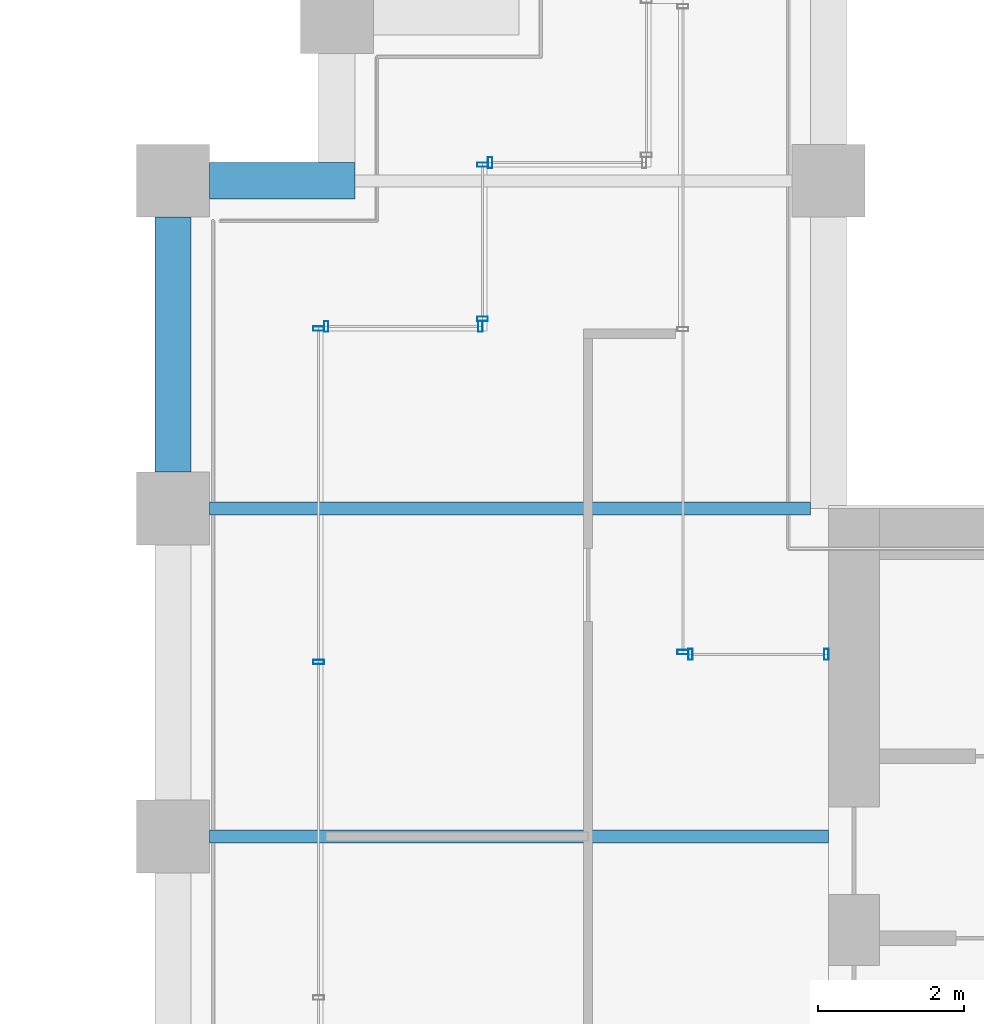
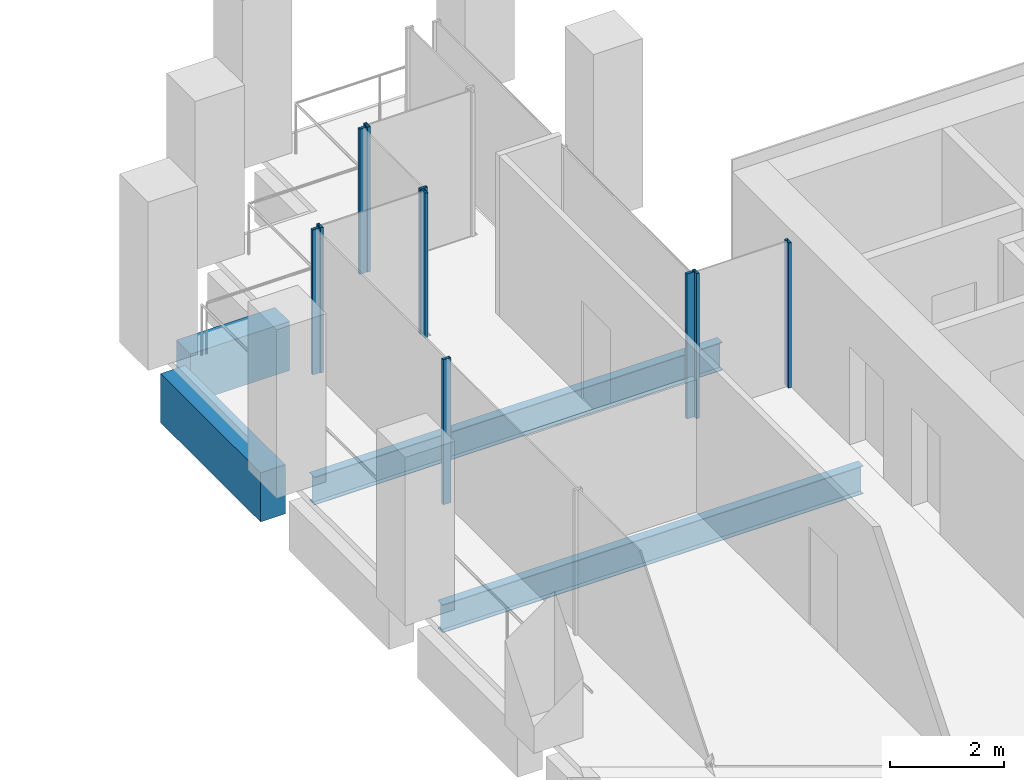
# One storey, part 34 of 46: 10 members, 4 beams, 6 elements without a shape of their own.
"""IFC4 building model written with IfcOpenShell, lengths in metres."""

from ifc_helpers import new_model, si_unit, direction, frame, origin, origin_2d, place, context, subcontext, project, spatial, rectangle, hollow_rectangle, i_section, extrude, material, material_profile, profile_set, type_object, element, aggregate, save


model = new_model("IFC4")

# Units and contexts
model_context = context("Model", 3, precision=1e-05, world=origin(), true_north=direction((0.0, 1.0)))
body_context = subcontext(model_context, "Body", "Model", "MODEL_VIEW")
ifc_project = project(units=[si_unit("LENGTHUNIT", "METRE"), si_unit("AREAUNIT", "SQUARE_METRE"), si_unit("VOLUMEUNIT", "CUBIC_METRE"), si_unit("PLANEANGLEUNIT", "RADIAN"), si_unit("MASSUNIT", "GRAM", prefix="KILO")], contexts=[model_context])

# Site, building, storey
site_placement = place(None, origin())
site = spatial("IfcSite", under=ifc_project, at=site_placement, CompositionType="ELEMENT")
building_placement = place(site_placement, origin())
building = spatial("IfcBuilding", under=site, at=building_placement, Name="Altepetl Exchange Towers", CompositionType="ELEMENT")
storey_placement = place(building_placement, frame((0.0, 0.0, 124.39990234375)))
storey = spatial("IfcBuildingStorey", under=building, at=storey_placement, Name="L30", CompositionType="ELEMENT", Elevation=124.39990234375)

# Beams
ifc_material_1 = material(Name="Steel S355", Category="steel")
ifc_material_profile_1 = material_profile(ifc_material_1, i_section(OverallWidth=0.177978515625, OverallDepth=0.59912109375, WebThickness=0.010009765625, FlangeThickness=0.0126953125, at=origin_2d()), Name="W24X55")
ifc_profile_set_1 = profile_set([ifc_material_profile_1], Name="Steel S355")
beam_type_1 = type_object("IfcBeamType", Name="Floor beam W24X55", PredefinedType="BEAM", material=ifc_profile_set_1)
beam_1_placement = place(storey_placement, frame((95.0, 45.0, -0.449462890625), z_axis=(1.0, 0.0, 0.0), x_axis=(0.0, 1.0, 0.0)))
element("IfcBeam", 1, at=beam_1_placement, inside=storey, type_object=beam_type_1, Name="bm:B:L30:009", PredefinedType="BEAM", context=body_context, shape_type="SweptSolid", body=[
    extrude(i_section(OverallWidth=0.177978515625, OverallDepth=0.59912109375, WebThickness=0.010009765625, FlangeThickness=0.0126953125, at=origin_2d()), origin(), (0.0, 0.0, 1.0), 8.5),
])
beam_2_placement = place(storey_placement, frame((95.0, 49.5, -0.449462890625), z_axis=(1.0, 0.0, 0.0), x_axis=(0.0, 1.0, 0.0)))
element("IfcBeam", 2, at=beam_2_placement, inside=storey, type_object=beam_type_1, Name="bm:B:L30:010", PredefinedType="BEAM", context=body_context, shape_type="SweptSolid", body=[
    extrude(i_section(OverallWidth=0.177978515625, OverallDepth=0.59912109375, WebThickness=0.010009765625, FlangeThickness=0.0126953125, at=origin_2d()), origin(), (0.0, 0.0, 1.0), 8.25),
])

# Curtain wall, members
ifc_material_2 = material(Name="Aluminium 6063-T6 glazing", Category="aluminium")
curtain_wall_type = type_object("IfcCurtainWallType", Name="Loggia glazing system", PredefinedType="NOTDEFINED", material=ifc_material_2)
curtain_wall_1_placement = place(storey_placement, origin())
curtain_wall_1 = element("IfcCurtainWall", 3, at=curtain_wall_1_placement, inside=storey, type_object=curtain_wall_type, Name="CW1 run", PredefinedType="NOTDEFINED")
ifc_material_3 = material(Name="Aluminium 6063-T6", Category="aluminium")
ifc_material_profile_2 = material_profile(ifc_material_3, hollow_rectangle(XDim=0.06005859375, YDim=0.14990234375, WallThickness=0.0029296875, at=origin_2d()), Name="Mullion 60x150 aluminium")
ifc_profile_set_2 = profile_set([ifc_material_profile_2], Name="Aluminium 6063-T6")
member_type = type_object("IfcMemberType", Name="Mullion 60x150 aluminium", PredefinedType="MULLION", material=ifc_profile_set_2)
member_1_placement = place(storey_placement, frame((98.719970703125, 52.0, 0.0), z_axis=(0.0, 0.0, 1.0), x_axis=(-1.0, 0.0, 0.0)))
member_1 = element("IfcMember", 4, at=member_1_placement, type_object=member_type, Name="MU1 mullion", PredefinedType="MULLION", context=body_context, shape_type="SweptSolid", body=[
    extrude(hollow_rectangle(XDim=0.06005859375, YDim=0.14990234375, WallThickness=0.0029296875, at=origin_2d()), origin(), (0.0, 0.0, 1.0), 3.10009765625),
])
member_2_placement = place(storey_placement, frame((96.60498046875, 52.0, 0.0), z_axis=(0.0, 0.0, 1.0), x_axis=(-1.0, 0.0, 0.0)))
member_2 = element("IfcMember", 5, at=member_2_placement, type_object=member_type, Name="MU1 mullion", PredefinedType="MULLION", context=body_context, shape_type="SweptSolid", body=[
    extrude(hollow_rectangle(XDim=0.06005859375, YDim=0.14990234375, WallThickness=0.0029296875, at=origin_2d()), origin(), (0.0, 0.0, 1.0), 3.10009765625),
])
aggregate(curtain_wall_1, [member_1, member_2])

curtain_wall_2_placement = place(storey_placement, origin())
curtain_wall_2 = element("IfcCurtainWall", 6, at=curtain_wall_2_placement, inside=storey, type_object=curtain_wall_type, Name="CW1 run", PredefinedType="NOTDEFINED")
member_3_placement = place(storey_placement, frame((96.5, 51.969970703125, 0.0), z_axis=(0.0, 0.0, 1.0), x_axis=(0.0, -1.0, 0.0)))
member_3 = element("IfcMember", 7, at=member_3_placement, type_object=member_type, Name="MU1 mullion", PredefinedType="MULLION", context=body_context, shape_type="SweptSolid", body=[
    extrude(hollow_rectangle(XDim=0.06005859375, YDim=0.14990234375, WallThickness=0.0029296875, at=origin_2d()), origin(), (0.0, 0.0, 1.0), 3.10009765625),
])
member_4_placement = place(storey_placement, frame((96.5, 47.393798828125, 0.0), z_axis=(0.0, 0.0, 1.0), x_axis=(0.0, -1.0, 0.0)))
member_4 = element("IfcMember", 8, at=member_4_placement, type_object=member_type, Name="MU1 mullion", PredefinedType="MULLION", context=body_context, shape_type="SweptSolid", body=[
    extrude(hollow_rectangle(XDim=0.06005859375, YDim=0.14990234375, WallThickness=0.0029296875, at=origin_2d()), origin(), (0.0, 0.0, 1.0), 3.10009765625),
])
aggregate(curtain_wall_2, [member_3, member_4])

curtain_wall_3_placement = place(storey_placement, origin())
curtain_wall_3 = element("IfcCurtainWall", 9, at=curtain_wall_3_placement, inside=storey, type_object=curtain_wall_type, Name="CW1 run", PredefinedType="NOTDEFINED")
member_5_placement = place(storey_placement, frame((103.469970703125, 47.5, 0.0), z_axis=(0.0, 0.0, 1.0), x_axis=(-1.0, 0.0, 0.0)))
member_5 = element("IfcMember", 10, at=member_5_placement, type_object=member_type, Name="MU1 mullion", PredefinedType="MULLION", context=body_context, shape_type="SweptSolid", body=[
    extrude(hollow_rectangle(XDim=0.06005859375, YDim=0.14990234375, WallThickness=0.0029296875, at=origin_2d()), origin(), (0.0, 0.0, 1.0), 3.10009765625),
])
member_6_placement = place(storey_placement, frame((101.60498046875, 47.5, 0.0), z_axis=(0.0, 0.0, 1.0), x_axis=(-1.0, 0.0, 0.0)))
member_6 = element("IfcMember", 11, at=member_6_placement, type_object=member_type, Name="MU1 mullion", PredefinedType="MULLION", context=body_context, shape_type="SweptSolid", body=[
    extrude(hollow_rectangle(XDim=0.06005859375, YDim=0.14990234375, WallThickness=0.0029296875, at=origin_2d()), origin(), (0.0, 0.0, 1.0), 3.10009765625),
])
aggregate(curtain_wall_3, [member_5, member_6])

# Curtain wall, member
curtain_wall_4_placement = place(storey_placement, origin())
curtain_wall_4 = element("IfcCurtainWall", 12, at=curtain_wall_4_placement, inside=storey, type_object=curtain_wall_type, Name="CW1 run", PredefinedType="NOTDEFINED")
member_7_placement = place(storey_placement, frame((101.5, 47.530029296875, 0.0), z_axis=(0.0, 0.0, 1.0), x_axis=(0.0, 1.0, 0.0)))
member_7 = element("IfcMember", 13, at=member_7_placement, type_object=member_type, Name="MU1 mullion", PredefinedType="MULLION", context=body_context, shape_type="SweptSolid", body=[
    extrude(hollow_rectangle(XDim=0.06005859375, YDim=0.14990234375, WallThickness=0.0029296875, at=origin_2d()), origin(), (0.0, 0.0, 1.0), 3.10009765625),
])
aggregate(curtain_wall_4, [member_7])

curtain_wall_5_placement = place(storey_placement, origin())
curtain_wall_5 = element("IfcCurtainWall", 14, at=curtain_wall_5_placement, inside=storey, type_object=curtain_wall_type, Name="CW1 run", PredefinedType="NOTDEFINED")
member_8_placement = place(storey_placement, frame((98.85498046875, 54.25, 0.0), z_axis=(0.0, 0.0, 1.0), x_axis=(-1.0, 0.0, 0.0)))
member_8 = element("IfcMember", 15, at=member_8_placement, type_object=member_type, Name="MU1 mullion", PredefinedType="MULLION", context=body_context, shape_type="SweptSolid", body=[
    extrude(hollow_rectangle(XDim=0.06005859375, YDim=0.14990234375, WallThickness=0.0029296875, at=origin_2d()), origin(), (0.0, 0.0, 1.0), 3.10009765625),
])
aggregate(curtain_wall_5, [member_8])

# Curtain wall, members
curtain_wall_6_placement = place(storey_placement, origin())
curtain_wall_6 = element("IfcCurtainWall", 16, at=curtain_wall_6_placement, inside=storey, type_object=curtain_wall_type, Name="CW1 run", PredefinedType="NOTDEFINED")
member_9_placement = place(storey_placement, frame((98.75, 54.219970703125, 0.0), z_axis=(0.0, 0.0, 1.0), x_axis=(0.0, -1.0, 0.0)))
member_9 = element("IfcMember", 17, at=member_9_placement, type_object=member_type, Name="MU1 mullion", PredefinedType="MULLION", context=body_context, shape_type="SweptSolid", body=[
    extrude(hollow_rectangle(XDim=0.06005859375, YDim=0.14990234375, WallThickness=0.0029296875, at=origin_2d()), origin(), (0.0, 0.0, 1.0), 3.10009765625),
])
member_10_placement = place(storey_placement, frame((98.75, 52.10498046875, 0.0), z_axis=(0.0, 0.0, 1.0), x_axis=(0.0, -1.0, 0.0)))
member_10 = element("IfcMember", 18, at=member_10_placement, type_object=member_type, Name="MU1 mullion", PredefinedType="MULLION", context=body_context, shape_type="SweptSolid", body=[
    extrude(hollow_rectangle(XDim=0.06005859375, YDim=0.14990234375, WallThickness=0.0029296875, at=origin_2d()), origin(), (0.0, 0.0, 1.0), 3.10009765625),
])
aggregate(curtain_wall_6, [member_9, member_10])

# Beams
ifc_material_4 = material(Name="Concrete C50/60 precast with cantera rosa facing", Category="concrete")
ifc_material_profile_3 = material_profile(ifc_material_4, rectangle(XDim=0.5, YDim=1.050048828125, at=origin_2d()), Name="500 x 1050")
ifc_profile_set_3 = profile_set([ifc_material_profile_3], Name="Concrete C50/60 precast with cantera rosa facing")
beam_type_2 = type_object("IfcBeamType", Name="Spandrel beam 500x1050 cantera rosa", PredefinedType="SPANDREL", material=ifc_profile_set_3)
beam_3_placement = place(storey_placement, frame((97.0, 54.0, -0.6748046875), z_axis=(-1.0, 0.0, 0.0), x_axis=(0.0, -1.0, 0.0)))
element("IfcBeam", 19, at=beam_3_placement, inside=storey, type_object=beam_type_2, Name="sp:B:L30:021", PredefinedType="SPANDREL", context=body_context, shape_type="SweptSolid", body=[
    extrude(rectangle(XDim=0.5, YDim=1.050048828125, at=origin_2d()), origin(), (0.0, 0.0, 1.0), 2.0),
])
beam_4_placement = place(storey_placement, frame((94.5, 53.5, -0.6748046875), z_axis=(0.0, -1.0, 0.0), x_axis=(1.0, 0.0, 0.0)))
element("IfcBeam", 20, at=beam_4_placement, inside=storey, type_object=beam_type_2, Name="sp:B:L30:022", PredefinedType="SPANDREL", context=body_context, shape_type="SweptSolid", body=[
    extrude(rectangle(XDim=0.5, YDim=1.050048828125, at=origin_2d()), origin(), (0.0, 0.0, 1.0), 3.5),
])

save(model, "model.ifc")
